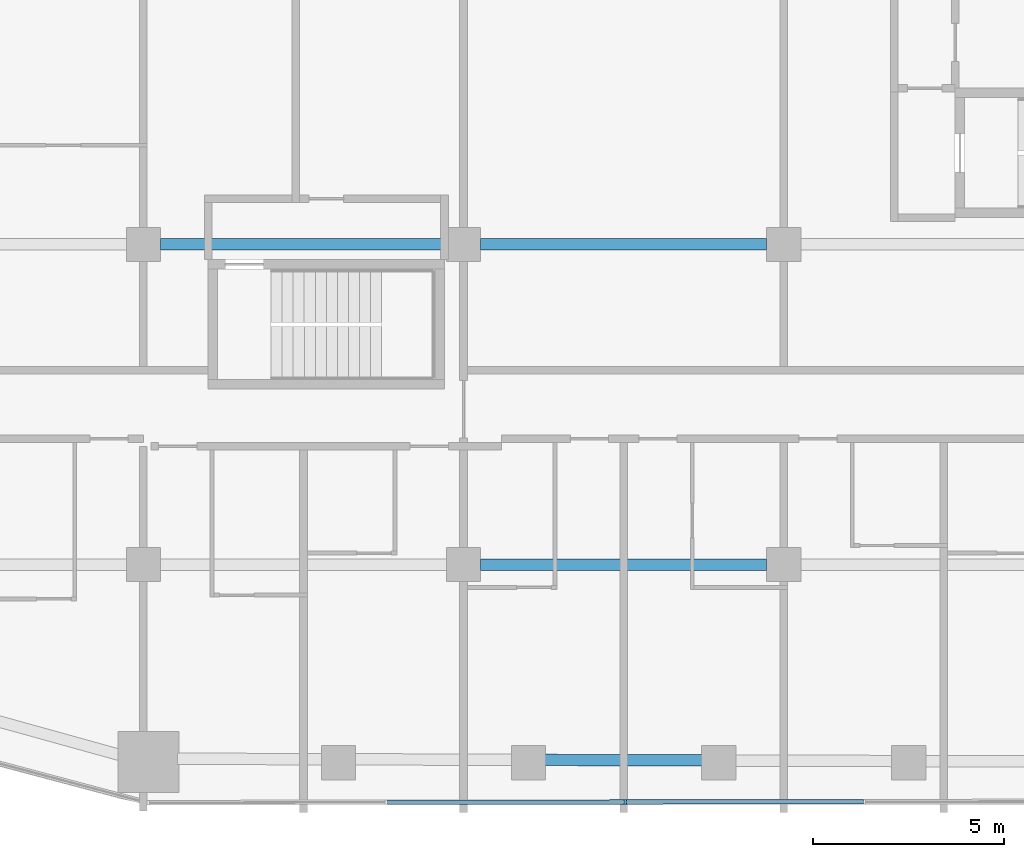
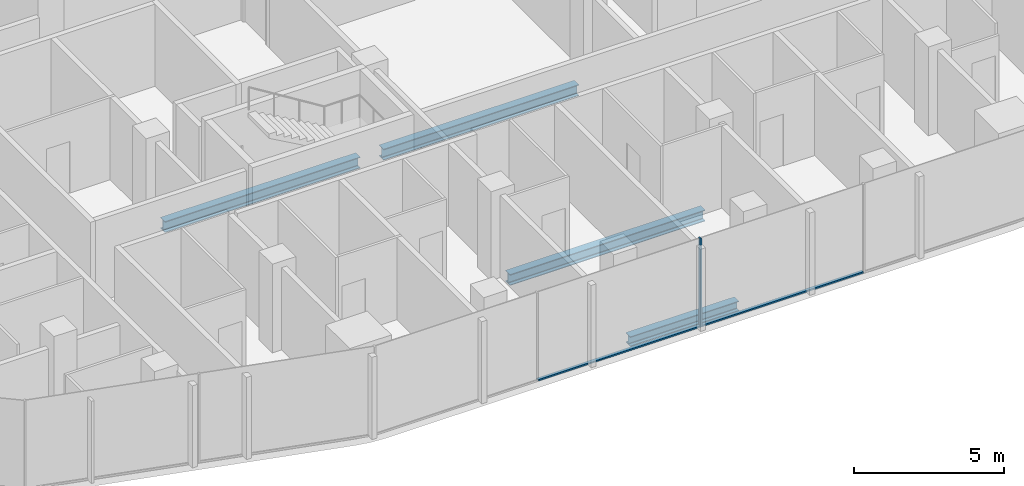
# One storey, part 3 of 23: 4 beams, 3 members, 1 element without a shape of its own.
"""IFC4 building model written with IfcOpenShell, lengths in metres."""

from ifc_helpers import new_model, si_unit, direction, frame, origin, origin_2d, place, context, subcontext, project, spatial, rectangle, i_section, extrude, material, layer, layer_set, material_profile, profile_set, type_object, element, aggregate, save


model = new_model("IFC4")

# Units and contexts
model_context = context("Model", 3, precision=1e-05, world=origin(), true_north=direction((0.0, 1.0)))
body_context = subcontext(model_context, "Body", "Model", "MODEL_VIEW")
ifc_project = project(units=[si_unit("LENGTHUNIT", "METRE"), si_unit("AREAUNIT", "SQUARE_METRE"), si_unit("VOLUMEUNIT", "CUBIC_METRE"), si_unit("PLANEANGLEUNIT", "RADIAN"), si_unit("MASSUNIT", "GRAM", prefix="KILO")], contexts=[model_context])

# Site, building, storey
site_placement = place(None, origin())
site = spatial("IfcSite", under=ifc_project, at=site_placement, CompositionType="ELEMENT")
building_placement = place(site_placement, origin())
building = spatial("IfcBuilding", under=site, at=building_placement, Name="Marenta Gate Hotel Tower", CompositionType="ELEMENT")
storey_placement = place(building_placement, frame((0.0, 0.0, 104.89990234375)))
storey = spatial("IfcBuildingStorey", under=building, at=storey_placement, Name="L22", CompositionType="ELEMENT", Elevation=104.89990234375)

# Beams
ifc_material_1 = material(Name="Steel S355", Category="steel")
ifc_material_profile_1 = material_profile(ifc_material_1, i_section(OverallWidth=0.300048828125, OverallDepth=0.39990234375, WebThickness=0.013427734375, FlangeThickness=0.02392578125, FilletRadius=0.027099609375, at=origin_2d()), Name="HEB 400")
ifc_profile_set_1 = profile_set([ifc_material_profile_1], Name="Steel S355")
beam_type_1 = type_object("IfcBeamType", Name="Edge beam HEB 400", PredefinedType="SPANDREL", material=ifc_profile_set_1)
beam_placement = place(storey_placement, frame((2.08349609375, -21.939453125, -0.4599609375), z_axis=(-0.999994808095, 0.003222387769, 0.0), x_axis=(-0.003222387769, -0.999994808095, 0.0)))
element("IfcBeam", 1, at=beam_placement, inside=storey, type_object=beam_type_1, Name="L22-EB-34", PredefinedType="SPANDREL", context=body_context, shape_type="SweptSolid", body=[
    extrude(i_section(OverallWidth=0.300048828125, OverallDepth=0.39990234375, WebThickness=0.013427734375, FlangeThickness=0.02392578125, FilletRadius=0.027099609375, at=origin_2d()), origin(), (0.0, 0.0, 1.0), 4.1669921875),
])
ifc_material_2 = material(Name="Steel S355", Category="steel")
ifc_material_profile_2 = material_profile(ifc_material_2, i_section(OverallWidth=0.300048828125, OverallDepth=0.449951171875, WebThickness=0.013916015625, FlangeThickness=0.02587890625, FilletRadius=0.027099609375, at=origin_2d()), Name="HEB 450")
ifc_profile_set_2 = profile_set([ifc_material_profile_2], Name="Steel S355")
beam_type_2 = type_object("IfcBeamType", Name="Girder HEB 450", PredefinedType="BEAM", material=ifc_profile_set_2)
for number, where, z_axis, x_axis, name in (
    (2, (-3.75, -16.800048828125, -0.48486328125), (1.0, 0.0, 0.0), (0.0, 1.0, 0.0), "L22-GD-4"),
    (3, (-12.14990234375, -8.39990234375, -0.48486328125), (1.0, 0.0, 0.0), (0.0, 1.0, 0.0), "L22-GD-10"),
    (4, (-3.75, -8.39990234375, -0.48486328125), (1.0, 0.0, 0.0), (0.0, 1.0, 0.0), "L22-GD-11"),
):
    element("IfcBeam", number, at=place(storey_placement, frame(where, z_axis=z_axis, x_axis=x_axis)), inside=storey, type_object=beam_type_2, Name=name, PredefinedType="BEAM", context=body_context, shape_type="SweptSolid", body=[
        extrude(i_section(OverallWidth=0.300048828125, OverallDepth=0.449951171875, WebThickness=0.013916015625, FlangeThickness=0.02587890625, FilletRadius=0.027099609375, at=origin_2d()), origin(), (0.0, 0.0, 1.0), 7.5),
    ])

# Curtain wall, members
ifc_material_3 = material(Name="Tinted insulated glass in bronze anodised frame", Category="glass")
ifc_layer = layer(ifc_material_3, 0.1201171875)
ifc_layer_set = layer_set([ifc_layer], Name="Tinted insulated glass in bronze anodised frame")
curtain_wall_type = type_object("IfcCurtainWallType", Name="Tower unitised curtain wall CW1", PredefinedType="NOTDEFINED", material=ifc_layer_set)
curtain_wall_placement = place(storey_placement, origin())
curtain_wall = element("IfcCurtainWall", 5, at=curtain_wall_placement, inside=storey, type_object=curtain_wall_type, Name="CW1 run G07", PredefinedType="NOTDEFINED")
ifc_material_4 = material(Name="Bronze anodised aluminium", Category="aluminium")
ifc_material_profile_3 = material_profile(ifc_material_4, rectangle(XDim=0.1201171875, YDim=0.06005859375, at=origin_2d()), Name="Mullion CW1 60x120 bronze anodised aluminium")
ifc_profile_set_3 = profile_set([ifc_material_profile_3], Name="Bronze anodised aluminium")
member_type_1 = type_object("IfcMemberType", Name="Mullion CW1 60x120 bronze anodised aluminium", PredefinedType="MULLION", material=ifc_profile_set_3)
member_1_placement = place(storey_placement, frame((0.0458984375, -23.030517578125, 0.0), z_axis=(0.0, 0.0, 1.0), x_axis=(-0.001362347707, 0.999999072004, 0.0)))
member_1 = element("IfcMember", 6, at=member_1_placement, type_object=member_type_1, Name="CW1 mullion 3", PredefinedType="MULLION", context=body_context, shape_type="SweptSolid", body=[
    extrude(rectangle(XDim=0.1201171875, YDim=0.06005859375, at=origin_2d()), origin(), (0.0, 0.0, 1.0), 3.60009765625),
])
ifc_material_5 = material(Name="Bronze anodised aluminium", Category="aluminium")
ifc_material_profile_4 = material_profile(ifc_material_5, rectangle(XDim=0.1201171875, YDim=0.06005859375, at=origin_2d()), Name="Transom CW1 60x120 bronze anodised aluminium")
ifc_profile_set_4 = profile_set([ifc_material_profile_4], Name="Bronze anodised aluminium")
member_type_2 = type_object("IfcMemberType", Name="Transom CW1 60x120 bronze anodised aluminium", PredefinedType="USERDEFINED", material=ifc_profile_set_4)
member_2_placement = place(storey_placement, frame((-6.199951171875, -23.038818359375, 0.030029296875), z_axis=(0.999999108317, 0.001335426932, 0.0), x_axis=(-0.001335426932, 0.999999108317, 0.0)))
member_2 = element("IfcMember", 7, at=member_2_placement, type_object=member_type_2, Name="CW1 transom 2.1", ObjectType="TRANSOM", PredefinedType="USERDEFINED", context=body_context, shape_type="SweptSolid", body=[
    extrude(rectangle(XDim=0.1201171875, YDim=0.06005859375, at=origin_2d()), origin(), (0.0, 0.0, 1.0), 6.2158203125),
])
member_3_placement = place(storey_placement, frame((0.075927734375, -23.0302734375, 0.030029296875), z_axis=(0.999999108387, 0.001335374482, 0.0), x_axis=(-0.001335374482, 0.999999108387, 0.0)))
member_3 = element("IfcMember", 8, at=member_3_placement, type_object=member_type_2, Name="CW1 transom 3.1", ObjectType="TRANSOM", PredefinedType="USERDEFINED", context=body_context, shape_type="SweptSolid", body=[
    extrude(rectangle(XDim=0.1201171875, YDim=0.06005859375, at=origin_2d()), origin(), (0.0, 0.0, 1.0), 6.216064453125),
])
aggregate(curtain_wall, [member_1, member_2, member_3])

save(model, "model.ifc")
